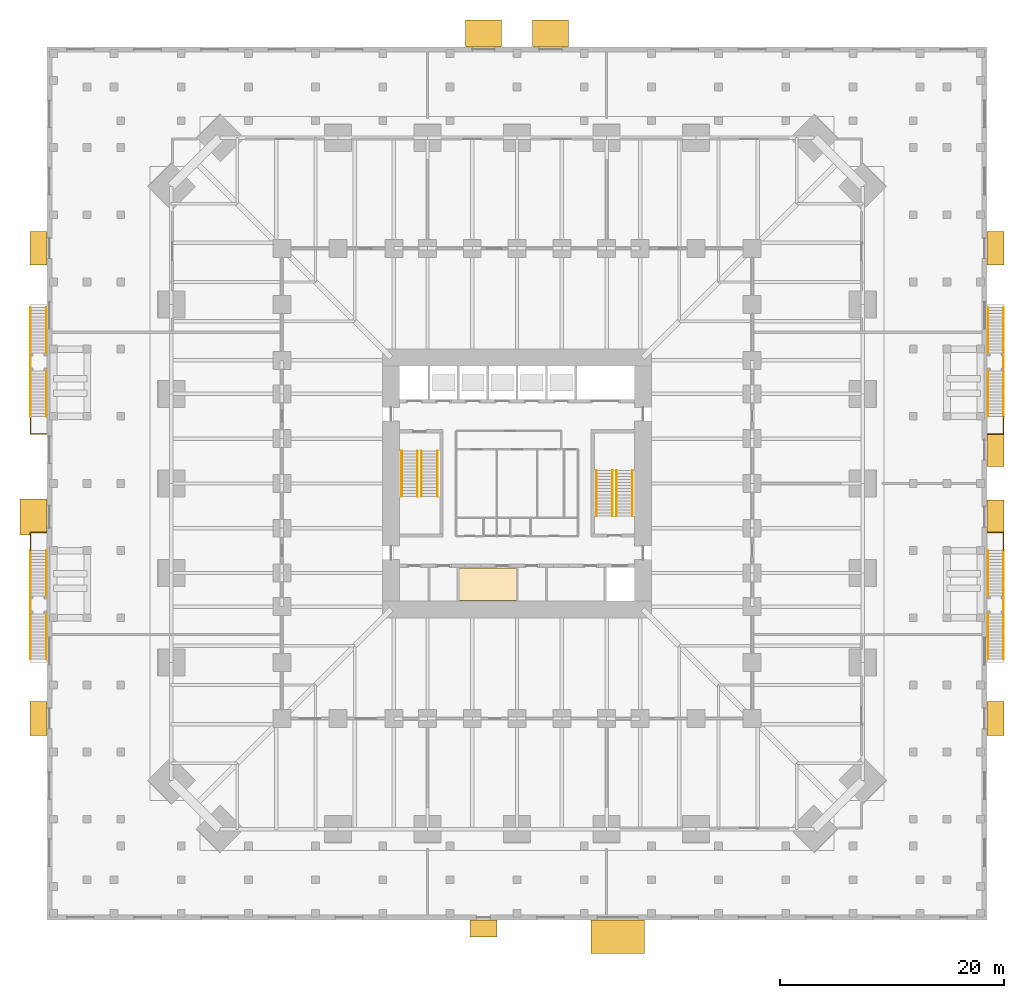
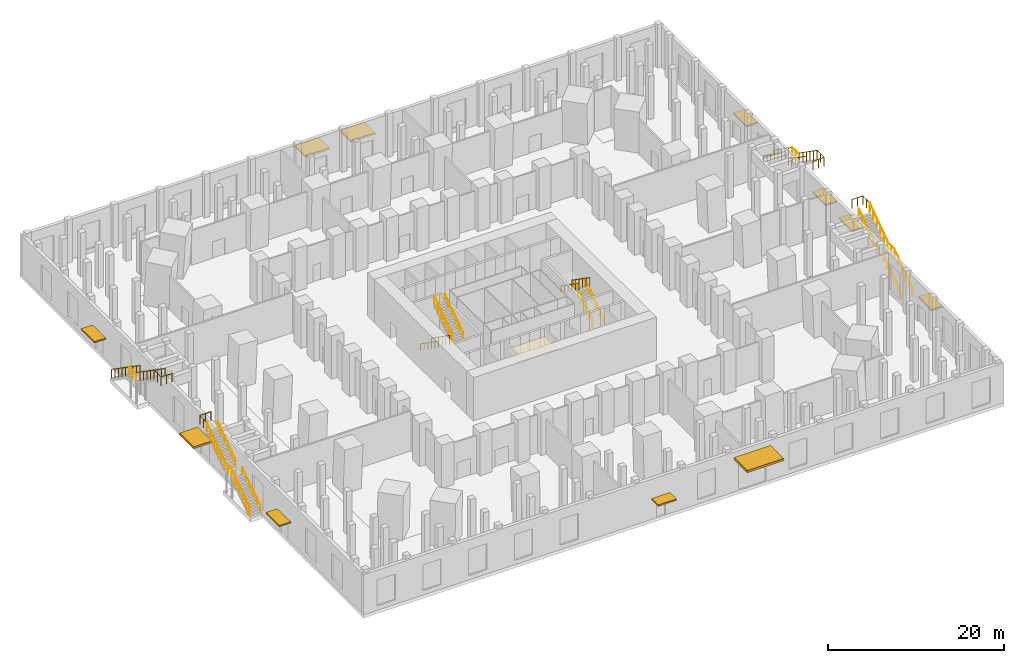
# One storey, part 19 of 20: 32 railings, 11 shading devices, 1 covering.
"""IFC4 building model written with IfcOpenShell, lengths in metres."""

from ifc_helpers import new_model, si_unit, direction, frame, origin, origin_2d, place, context, subcontext, project, spatial, polyline, rectangle, circle, outline, extrude, material, layer, layer_set, type_object, element, save


model = new_model("IFC4")

# Units and contexts
model_context = context("Model", 3, precision=1e-05, world=origin(), true_north=direction((0.0, 1.0)))
body_context = subcontext(model_context, "Body", "Model", "MODEL_VIEW")
ifc_project = project(units=[si_unit("LENGTHUNIT", "METRE"), si_unit("AREAUNIT", "SQUARE_METRE"), si_unit("VOLUMEUNIT", "CUBIC_METRE"), si_unit("PLANEANGLEUNIT", "RADIAN"), si_unit("MASSUNIT", "GRAM", prefix="KILO")], contexts=[model_context])

# Site, building, storey
site_placement = place(None, origin())
site = spatial("IfcSite", under=ifc_project, at=site_placement, CompositionType="ELEMENT")
building_placement = place(site_placement, origin())
building = spatial("IfcBuilding", under=site, at=building_placement, Name="Peilmerk Tower", CompositionType="ELEMENT")
storey_placement = place(building_placement, origin())
storey = spatial("IfcBuildingStorey", under=building, at=storey_placement, Name="L00", CompositionType="ELEMENT", Elevation=0.0)

# Covering
ifc_material_1 = material(Name="Mineral fibre ceiling tiles", Category="mineral")
ifc_layer_1 = layer(ifc_material_1, 0.02490234375)
ifc_layer_set_1 = layer_set([ifc_layer_1], Name="Mineral fibre ceiling tiles")
covering_type = type_object("IfcCoveringType", Name="CL1 25 suspended ceiling", PredefinedType="CEILING", material=ifc_layer_set_1)
covering_placement = place(storey_placement, frame((0.0, 0.0, 4.824951171875)))
element("IfcCovering", 1, at=covering_placement, inside=storey, type_object=covering_type, Name="Suspended ceiling Back-of-house office", PredefinedType="CEILING", context=body_context, shape_type="SweptSolid", body=[
    extrude(outline(polyline([(-5.198974609375, -10.448974609375), (-0.051025390625, -10.448974609375), (-0.051025390625, -7.551025390625), (-5.198974609375, -7.551025390625), (-5.198974609375, -10.448974609375)])), origin(), (0.0, 0.0, 1.0), 0.025146484375),
])

# Shading devices
ifc_material_2 = material(Name="Galvanised steel cantilever frame, laminated glass deck", Category="steel")
ifc_layer_2 = layer(ifc_material_2, 0.25)
ifc_layer_set_2 = layer_set([ifc_layer_2], Name="Galvanised steel cantilever frame, laminated glass deck")
shading_device_type_1 = type_object("IfcShadingDeviceType", Name="CN1 3200x2400 entrance canopy", PredefinedType="AWNING", material=ifc_layer_set_2)
for number, where, z_axis, x_axis, name in (
    (2, (-3.0, 40.199951171875, 3.0), (0.0, 0.0, 1.0), (1.0, 0.0, 0.0), "Entrance canopy CN1 L00"),
    (3, (3.0, 40.199951171875, 3.0), (0.0, 0.0, 1.0), (1.0, 0.0, 0.0), "Entrance canopy CN1 L00"),
    (4, (-43.199951171875, -3.0, 3.0), (0.0, 0.0, 1.0), (0.0, 1.0, 0.0), "Entrance canopy CN1 L00"),
):
    element("IfcShadingDevice", number, at=place(storey_placement, frame(where, z_axis=z_axis, x_axis=x_axis)), inside=storey, type_object=shading_device_type_1, Name=name, PredefinedType="AWNING", context=body_context, shape_type="SweptSolid", body=[
        extrude(rectangle(XDim=3.199951171875, YDim=2.39990234375, at=origin_2d()), origin(), (0.0, 0.0, 1.0), 0.25),
    ])
ifc_layer_3 = layer(ifc_material_2, 0.199951171875)
ifc_layer_set_3 = layer_set([ifc_layer_3], Name="Galvanised steel cantilever frame, laminated glass deck")
shading_device_type_2 = type_object("IfcShadingDeviceType", Name="CN2 2400x1500 exit door canopy", PredefinedType="AWNING", material=ifc_layer_set_3)
shading_device_1_placement = place(storey_placement, frame((-3.0, -39.75, 2.7001953125), z_axis=(0.0, 0.0, 1.0), x_axis=(-1.0, 0.0, 0.0)))
element("IfcShadingDevice", 5, at=shading_device_1_placement, inside=storey, type_object=shading_device_type_2, Name="Exit door canopy CN2 L00", PredefinedType="AWNING", context=body_context, shape_type="SweptSolid", body=[
    extrude(rectangle(XDim=2.39990234375, YDim=1.5, at=origin_2d()), origin(), (0.0, 0.0, 1.0), 0.199951171875),
])
ifc_layer_4 = layer(ifc_material_2, 0.300048828125)
ifc_layer_set_4 = layer_set([ifc_layer_4], Name="Galvanised steel cantilever frame, laminated glass deck")
shading_device_type_3 = type_object("IfcShadingDeviceType", Name="CN3 4800x3000 loading dock canopy", PredefinedType="AWNING", material=ifc_layer_set_4)
shading_device_2_placement = place(storey_placement, frame((9.0, -40.5, 4.5), z_axis=(0.0, 0.0, 1.0), x_axis=(-1.0, 0.0, 0.0)))
element("IfcShadingDevice", 6, at=shading_device_2_placement, inside=storey, type_object=shading_device_type_3, Name="Loading dock canopy CN3 L00", PredefinedType="AWNING", context=body_context, shape_type="SweptSolid", body=[
    extrude(rectangle(XDim=4.800048828125, YDim=3.0, at=origin_2d()), origin(), (0.0, 0.0, 1.0), 0.300048828125),
])
ifc_layer_5 = layer(ifc_material_2, 0.199951171875)
ifc_layer_set_5 = layer_set([ifc_layer_5], Name="Galvanised steel cantilever frame, laminated glass deck")
shading_device_type_4 = type_object("IfcShadingDeviceType", Name="CN4 3000x1500 exit door pair canopy", PredefinedType="AWNING", material=ifc_layer_set_5)
for number, where, z_axis, x_axis, name in (
    (7, (42.75, 21.0, 2.7001953125), (0.0, 0.0, 1.0), (0.0, -1.0, 0.0), "Exit door pair canopy CN4 L00"),
    (8, (42.75, 3.0, 2.7001953125), (0.0, 0.0, 1.0), (0.0, -1.0, 0.0), "Exit door pair canopy CN4 L00"),
    (9, (42.75, -3.0, 2.7001953125), (0.0, 0.0, 1.0), (0.0, -1.0, 0.0), "Exit door pair canopy CN4 L00"),
    (10, (42.75, -21.0, 2.7001953125), (0.0, 0.0, 1.0), (0.0, -1.0, 0.0), "Exit door pair canopy CN4 L00"),
    (11, (-42.75, -21.0, 2.7001953125), (0.0, 0.0, 1.0), (0.0, 1.0, 0.0), "Exit door pair canopy CN4 L00"),
    (12, (-42.75, 21.0, 2.7001953125), (0.0, 0.0, 1.0), (0.0, 1.0, 0.0), "Exit door pair canopy CN4 L00"),
):
    element("IfcShadingDevice", number, at=place(storey_placement, frame(where, z_axis=z_axis, x_axis=x_axis)), inside=storey, type_object=shading_device_type_4, Name=name, PredefinedType="AWNING", context=body_context, shape_type="SweptSolid", body=[
        extrude(rectangle(XDim=3.0, YDim=1.5, at=origin_2d()), origin(), (0.0, 0.0, 1.0), 0.199951171875),
    ])

# Railings
ifc_material_3 = material(Name="Steel flat bar balustrade", Category="steel")
railing_type_1 = type_object("IfcRailingType", Name="GR1 1200 stair guard", PredefinedType="GUARDRAIL", material=ifc_material_3)
railing_1_placement = place(storey_placement, frame((-8.8798828125, 2.89990234375, 0.1875)))
element("IfcRailing", 13, at=railing_1_placement, inside=storey, type_object=railing_type_1, Name="Guard stair 1 L00", PredefinedType="GUARDRAIL", context=body_context, shape_type="SweptSolid", body=[
    extrude(circle(Radius=0.02392578125, at=origin_2d()), frame((0.0, 0.0, 1.17578125), z_axis=(0.0, -0.821357077609, 0.57041436786), x_axis=(1.0, 0.0, 0.0)), (0.0, 0.0, 1.0), 4.9306640625),
    extrude(circle(Radius=0.02099609375, at=origin_2d()), origin(), (0.0, 0.0, 1.0), 1.15185546875),
    extrude(circle(Radius=0.02099609375, at=origin_2d()), frame((0.0, -0.81005859375, 0.5625)), (0.0, 0.0, 1.0), 1.15185546875),
    extrude(circle(Radius=0.02099609375, at=origin_2d()), frame((0.0, -1.619873046875, 1.125)), (0.0, 0.0, 1.0), 1.15185546875),
    extrude(circle(Radius=0.02099609375, at=origin_2d()), frame((0.0, -2.429931640625, 1.6875)), (0.0, 0.0, 1.0), 1.15185546875),
    extrude(circle(Radius=0.02099609375, at=origin_2d()), frame((0.0, -3.23974609375, 2.25)), (0.0, 0.0, 1.0), 1.15185546875),
    extrude(circle(Radius=0.02099609375, at=origin_2d()), frame((0.0, -4.0498046875, 2.8125)), (0.0, 0.0, 1.0), 1.15185546875),
])
for number, where, name in (
    (14, (-8.52001953125, -1.14990234375, 3.1875), "Guard stair 1 L00"),
    (15, (8.8798828125, -2.89990234375, 0.1875), "Guard stair 2 L00"),
):
    element("IfcRailing", number, at=place(storey_placement, frame(where)), inside=storey, type_object=railing_type_1, Name=name, PredefinedType="GUARDRAIL", context=body_context, shape_type="SweptSolid", body=[
        extrude(circle(Radius=0.02392578125, at=origin_2d()), frame((0.0, 0.0, 1.17578125), z_axis=(0.0, 0.821357077609, 0.57041436786), x_axis=(-1.0, 0.0, 0.0)), (0.0, 0.0, 1.0), 4.9306640625),
        extrude(circle(Radius=0.02099609375, at=origin_2d()), origin(), (0.0, 0.0, 1.0), 1.15185546875),
        extrude(circle(Radius=0.02099609375, at=origin_2d()), frame((0.0, 0.81005859375, 0.5625)), (0.0, 0.0, 1.0), 1.15185546875),
        extrude(circle(Radius=0.02099609375, at=origin_2d()), frame((0.0, 1.619873046875, 1.125)), (0.0, 0.0, 1.0), 1.15185546875),
        extrude(circle(Radius=0.02099609375, at=origin_2d()), frame((0.0, 2.429931640625, 1.6875)), (0.0, 0.0, 1.0), 1.15185546875),
        extrude(circle(Radius=0.02099609375, at=origin_2d()), frame((0.0, 3.23974609375, 2.25)), (0.0, 0.0, 1.0), 1.15185546875),
        extrude(circle(Radius=0.02099609375, at=origin_2d()), frame((0.0, 4.0498046875, 2.8125)), (0.0, 0.0, 1.0), 1.15185546875),
    ])
railing_2_placement = place(storey_placement, frame((8.52001953125, 1.14990234375, 3.1875)))
element("IfcRailing", 16, at=railing_2_placement, inside=storey, type_object=railing_type_1, Name="Guard stair 2 L00", PredefinedType="GUARDRAIL", context=body_context, shape_type="SweptSolid", body=[
    extrude(circle(Radius=0.02392578125, at=origin_2d()), frame((0.0, 0.0, 1.17578125), z_axis=(0.0, -0.821357077609, 0.57041436786), x_axis=(1.0, 0.0, 0.0)), (0.0, 0.0, 1.0), 4.9306640625),
    extrude(circle(Radius=0.02099609375, at=origin_2d()), origin(), (0.0, 0.0, 1.0), 1.15185546875),
    extrude(circle(Radius=0.02099609375, at=origin_2d()), frame((0.0, -0.81005859375, 0.5625)), (0.0, 0.0, 1.0), 1.15185546875),
    extrude(circle(Radius=0.02099609375, at=origin_2d()), frame((0.0, -1.619873046875, 1.125)), (0.0, 0.0, 1.0), 1.15185546875),
    extrude(circle(Radius=0.02099609375, at=origin_2d()), frame((0.0, -2.429931640625, 1.6875)), (0.0, 0.0, 1.0), 1.15185546875),
    extrude(circle(Radius=0.02099609375, at=origin_2d()), frame((0.0, -3.23974609375, 2.25)), (0.0, 0.0, 1.0), 1.15185546875),
    extrude(circle(Radius=0.02099609375, at=origin_2d()), frame((0.0, -4.0498046875, 2.8125)), (0.0, 0.0, 1.0), 1.15185546875),
])
for number, where, name in (
    (17, (43.469970703125, 15.699951171875, 0.1875), "Guard external stair 3 L00"),
    (18, (43.469970703125, 10.050048828125, 3.1875), "Guard external stair 3 L00"),
):
    element("IfcRailing", number, at=place(storey_placement, frame(where)), inside=storey, type_object=railing_type_1, Name=name, PredefinedType="GUARDRAIL", context=body_context, shape_type="SweptSolid", body=[
        extrude(circle(Radius=0.02392578125, at=origin_2d()), frame((0.0, 0.0, 1.17578125), z_axis=(0.0, -0.821373187493, 0.570391170047), x_axis=(1.0, 0.0, 0.0)), (0.0, 0.0, 1.0), 4.930908203125),
        extrude(circle(Radius=0.02099609375, at=origin_2d()), origin(), (0.0, 0.0, 1.0), 1.15185546875),
        extrude(circle(Radius=0.02099609375, at=origin_2d()), frame((0.0, -0.81005859375, 0.5625)), (0.0, 0.0, 1.0), 1.15185546875),
        extrude(circle(Radius=0.02099609375, at=origin_2d()), frame((0.0, -1.6201171875, 1.125)), (0.0, 0.0, 1.0), 1.15185546875),
        extrude(circle(Radius=0.02099609375, at=origin_2d()), frame((0.0, -2.429931640625, 1.6875)), (0.0, 0.0, 1.0), 1.15185546875),
        extrude(circle(Radius=0.02099609375, at=origin_2d()), frame((0.0, -3.239990234375, 2.25)), (0.0, 0.0, 1.0), 1.15185546875),
        extrude(circle(Radius=0.02099609375, at=origin_2d()), frame((0.0, -4.050048828125, 2.8125)), (0.0, 0.0, 1.0), 1.15185546875),
    ])
railing_3_placement = place(storey_placement, frame((43.469970703125, 10.050048828125, 3.0)))
element("IfcRailing", 19, at=railing_3_placement, inside=storey, type_object=railing_type_1, Name="Guard external stair 3 L00", PredefinedType="GUARDRAIL", context=body_context, shape_type="SweptSolid", body=[
    extrude(circle(Radius=0.02392578125, at=origin_2d()), frame((0.0, 0.0, 1.17578125), z_axis=(0.0, 1.0, 0.0), x_axis=(-1.0, 0.0, 0.0)), (0.0, 0.0, 1.0), 1.599853515625),
    extrude(circle(Radius=0.02099609375, at=origin_2d()), origin(), (0.0, 0.0, 1.0), 1.15185546875),
    extrude(circle(Radius=0.02099609375, at=origin_2d()), frame((0.0, 0.7998046875, 0.0)), (0.0, 0.0, 1.0), 1.15185546875),
    extrude(circle(Radius=0.02099609375, at=origin_2d()), frame((0.0, 1.599853515625, 0.0)), (0.0, 0.0, 1.0), 1.15185546875),
])
railing_4_placement = place(storey_placement, frame((43.469970703125, 6.0, 6.0)))
element("IfcRailing", 20, at=railing_4_placement, inside=storey, type_object=railing_type_1, Name="Guard external stair 3 L00", PredefinedType="GUARDRAIL", context=body_context, shape_type="SweptSolid", body=[
    extrude(circle(Radius=0.02392578125, at=origin_2d()), frame((0.0, 0.0, 1.17578125), z_axis=(0.0, -1.0, 0.0), x_axis=(1.0, 0.0, 0.0)), (0.0, 0.0, 1.0), 1.60009765625),
    extrude(circle(Radius=0.02392578125, at=origin_2d()), frame((0.0, -1.60009765625, 1.17578125), z_axis=(-1.0, 0.0, 0.0), x_axis=(0.0, -1.0, 0.0)), (0.0, 0.0, 1.0), 1.43994140625),
    extrude(circle(Radius=0.02099609375, at=origin_2d()), origin(), (0.0, 0.0, 1.0), 1.15185546875),
    extrude(circle(Radius=0.02099609375, at=origin_2d()), frame((0.0, -0.800048828125, 0.0)), (0.0, 0.0, 1.0), 1.15185546875),
    extrude(circle(Radius=0.02099609375, at=origin_2d()), frame((0.0, -1.60009765625, 0.0)), (0.0, 0.0, 1.0), 1.15185546875),
    extrude(circle(Radius=0.02099609375, at=origin_2d()), frame((-0.719970703125, -1.60009765625, 0.0)), (0.0, 0.0, 1.0), 1.15185546875),
    extrude(circle(Radius=0.02099609375, at=origin_2d()), frame((-1.43994140625, -1.60009765625, 0.0)), (0.0, 0.0, 1.0), 1.15185546875),
])
for number, where, name in (
    (21, (43.469970703125, -15.699951171875, 0.1875), "Guard external stair 4 L00"),
    (22, (43.469970703125, -10.050048828125, 3.1875), "Guard external stair 4 L00"),
):
    element("IfcRailing", number, at=place(storey_placement, frame(where)), inside=storey, type_object=railing_type_1, Name=name, PredefinedType="GUARDRAIL", context=body_context, shape_type="SweptSolid", body=[
        extrude(circle(Radius=0.02392578125, at=origin_2d()), frame((0.0, 0.0, 1.17578125), z_axis=(0.0, 0.821373187493, 0.570391170047), x_axis=(-1.0, 0.0, 0.0)), (0.0, 0.0, 1.0), 4.930908203125),
        extrude(circle(Radius=0.02099609375, at=origin_2d()), origin(), (0.0, 0.0, 1.0), 1.15185546875),
        extrude(circle(Radius=0.02099609375, at=origin_2d()), frame((0.0, 0.81005859375, 0.5625)), (0.0, 0.0, 1.0), 1.15185546875),
        extrude(circle(Radius=0.02099609375, at=origin_2d()), frame((0.0, 1.6201171875, 1.125)), (0.0, 0.0, 1.0), 1.15185546875),
        extrude(circle(Radius=0.02099609375, at=origin_2d()), frame((0.0, 2.429931640625, 1.6875)), (0.0, 0.0, 1.0), 1.15185546875),
        extrude(circle(Radius=0.02099609375, at=origin_2d()), frame((0.0, 3.239990234375, 2.25)), (0.0, 0.0, 1.0), 1.15185546875),
        extrude(circle(Radius=0.02099609375, at=origin_2d()), frame((0.0, 4.050048828125, 2.8125)), (0.0, 0.0, 1.0), 1.15185546875),
    ])
railing_5_placement = place(storey_placement, frame((43.469970703125, -11.64990234375, 3.0)))
element("IfcRailing", 23, at=railing_5_placement, inside=storey, type_object=railing_type_1, Name="Guard external stair 4 L00", PredefinedType="GUARDRAIL", context=body_context, shape_type="SweptSolid", body=[
    extrude(circle(Radius=0.02392578125, at=origin_2d()), frame((0.0, 0.0, 1.17578125), z_axis=(0.0, 1.0, 0.0), x_axis=(-1.0, 0.0, 0.0)), (0.0, 0.0, 1.0), 1.599853515625),
    extrude(circle(Radius=0.02099609375, at=origin_2d()), origin(), (0.0, 0.0, 1.0), 1.15185546875),
    extrude(circle(Radius=0.02099609375, at=origin_2d()), frame((0.0, 0.7998046875, 0.0)), (0.0, 0.0, 1.0), 1.15185546875),
    extrude(circle(Radius=0.02099609375, at=origin_2d()), frame((0.0, 1.599853515625, 0.0)), (0.0, 0.0, 1.0), 1.15185546875),
])
railing_6_placement = place(storey_placement, frame((43.469970703125, -6.0, 6.0)))
element("IfcRailing", 24, at=railing_6_placement, inside=storey, type_object=railing_type_1, Name="Guard external stair 4 L00", PredefinedType="GUARDRAIL", context=body_context, shape_type="SweptSolid", body=[
    extrude(circle(Radius=0.02392578125, at=origin_2d()), frame((0.0, 0.0, 1.17578125), z_axis=(0.0, 1.0, 0.0), x_axis=(-1.0, 0.0, 0.0)), (0.0, 0.0, 1.0), 1.60009765625),
    extrude(circle(Radius=0.02392578125, at=origin_2d()), frame((0.0, 1.60009765625, 1.17578125), z_axis=(-1.0, 0.0, 0.0), x_axis=(0.0, -1.0, 0.0)), (0.0, 0.0, 1.0), 1.43994140625),
    extrude(circle(Radius=0.02099609375, at=origin_2d()), origin(), (0.0, 0.0, 1.0), 1.15185546875),
    extrude(circle(Radius=0.02099609375, at=origin_2d()), frame((0.0, 0.800048828125, 0.0)), (0.0, 0.0, 1.0), 1.15185546875),
    extrude(circle(Radius=0.02099609375, at=origin_2d()), frame((0.0, 1.60009765625, 0.0)), (0.0, 0.0, 1.0), 1.15185546875),
    extrude(circle(Radius=0.02099609375, at=origin_2d()), frame((-0.719970703125, 1.60009765625, 0.0)), (0.0, 0.0, 1.0), 1.15185546875),
    extrude(circle(Radius=0.02099609375, at=origin_2d()), frame((-1.43994140625, 1.60009765625, 0.0)), (0.0, 0.0, 1.0), 1.15185546875),
])
for number, where, name in (
    (25, (-43.469970703125, 15.699951171875, 0.1875), "Guard external stair 5 L00"),
    (26, (-43.469970703125, 10.050048828125, 3.1875), "Guard external stair 5 L00"),
):
    element("IfcRailing", number, at=place(storey_placement, frame(where)), inside=storey, type_object=railing_type_1, Name=name, PredefinedType="GUARDRAIL", context=body_context, shape_type="SweptSolid", body=[
        extrude(circle(Radius=0.02392578125, at=origin_2d()), frame((0.0, 0.0, 1.17578125), z_axis=(0.0, -0.821373187493, 0.570391170047), x_axis=(1.0, 0.0, 0.0)), (0.0, 0.0, 1.0), 4.930908203125),
        extrude(circle(Radius=0.02099609375, at=origin_2d()), origin(), (0.0, 0.0, 1.0), 1.15185546875),
        extrude(circle(Radius=0.02099609375, at=origin_2d()), frame((0.0, -0.81005859375, 0.5625)), (0.0, 0.0, 1.0), 1.15185546875),
        extrude(circle(Radius=0.02099609375, at=origin_2d()), frame((0.0, -1.6201171875, 1.125)), (0.0, 0.0, 1.0), 1.15185546875),
        extrude(circle(Radius=0.02099609375, at=origin_2d()), frame((0.0, -2.429931640625, 1.6875)), (0.0, 0.0, 1.0), 1.15185546875),
        extrude(circle(Radius=0.02099609375, at=origin_2d()), frame((0.0, -3.239990234375, 2.25)), (0.0, 0.0, 1.0), 1.15185546875),
        extrude(circle(Radius=0.02099609375, at=origin_2d()), frame((0.0, -4.050048828125, 2.8125)), (0.0, 0.0, 1.0), 1.15185546875),
    ])
railing_7_placement = place(storey_placement, frame((-43.469970703125, 10.050048828125, 3.0)))
element("IfcRailing", 27, at=railing_7_placement, inside=storey, type_object=railing_type_1, Name="Guard external stair 5 L00", PredefinedType="GUARDRAIL", context=body_context, shape_type="SweptSolid", body=[
    extrude(circle(Radius=0.02392578125, at=origin_2d()), frame((0.0, 0.0, 1.17578125), z_axis=(0.0, 1.0, 0.0), x_axis=(-1.0, 0.0, 0.0)), (0.0, 0.0, 1.0), 1.599853515625),
    extrude(circle(Radius=0.02099609375, at=origin_2d()), origin(), (0.0, 0.0, 1.0), 1.15185546875),
    extrude(circle(Radius=0.02099609375, at=origin_2d()), frame((0.0, 0.7998046875, 0.0)), (0.0, 0.0, 1.0), 1.15185546875),
    extrude(circle(Radius=0.02099609375, at=origin_2d()), frame((0.0, 1.599853515625, 0.0)), (0.0, 0.0, 1.0), 1.15185546875),
])
railing_8_placement = place(storey_placement, frame((-43.469970703125, 6.0, 6.0)))
element("IfcRailing", 28, at=railing_8_placement, inside=storey, type_object=railing_type_1, Name="Guard external stair 5 L00", PredefinedType="GUARDRAIL", context=body_context, shape_type="SweptSolid", body=[
    extrude(circle(Radius=0.02392578125, at=origin_2d()), frame((0.0, 0.0, 1.17578125), z_axis=(0.0, -1.0, 0.0), x_axis=(1.0, 0.0, 0.0)), (0.0, 0.0, 1.0), 1.60009765625),
    extrude(circle(Radius=0.02392578125, at=origin_2d()), frame((0.0, -1.60009765625, 1.17578125), z_axis=(1.0, 0.0, 0.0), x_axis=(0.0, 1.0, 0.0)), (0.0, 0.0, 1.0), 1.43994140625),
    extrude(circle(Radius=0.02099609375, at=origin_2d()), origin(), (0.0, 0.0, 1.0), 1.15185546875),
    extrude(circle(Radius=0.02099609375, at=origin_2d()), frame((0.0, -0.800048828125, 0.0)), (0.0, 0.0, 1.0), 1.15185546875),
    extrude(circle(Radius=0.02099609375, at=origin_2d()), frame((0.0, -1.60009765625, 0.0)), (0.0, 0.0, 1.0), 1.15185546875),
    extrude(circle(Radius=0.02099609375, at=origin_2d()), frame((0.719970703125, -1.60009765625, 0.0)), (0.0, 0.0, 1.0), 1.15185546875),
    extrude(circle(Radius=0.02099609375, at=origin_2d()), frame((1.43994140625, -1.60009765625, 0.0)), (0.0, 0.0, 1.0), 1.15185546875),
])
for number, where, name in (
    (29, (-43.469970703125, -15.699951171875, 0.1875), "Guard external stair 6 L00"),
    (30, (-43.469970703125, -10.050048828125, 3.1875), "Guard external stair 6 L00"),
):
    element("IfcRailing", number, at=place(storey_placement, frame(where)), inside=storey, type_object=railing_type_1, Name=name, PredefinedType="GUARDRAIL", context=body_context, shape_type="SweptSolid", body=[
        extrude(circle(Radius=0.02392578125, at=origin_2d()), frame((0.0, 0.0, 1.17578125), z_axis=(0.0, 0.821373187493, 0.570391170047), x_axis=(-1.0, 0.0, 0.0)), (0.0, 0.0, 1.0), 4.930908203125),
        extrude(circle(Radius=0.02099609375, at=origin_2d()), origin(), (0.0, 0.0, 1.0), 1.15185546875),
        extrude(circle(Radius=0.02099609375, at=origin_2d()), frame((0.0, 0.81005859375, 0.5625)), (0.0, 0.0, 1.0), 1.15185546875),
        extrude(circle(Radius=0.02099609375, at=origin_2d()), frame((0.0, 1.6201171875, 1.125)), (0.0, 0.0, 1.0), 1.15185546875),
        extrude(circle(Radius=0.02099609375, at=origin_2d()), frame((0.0, 2.429931640625, 1.6875)), (0.0, 0.0, 1.0), 1.15185546875),
        extrude(circle(Radius=0.02099609375, at=origin_2d()), frame((0.0, 3.239990234375, 2.25)), (0.0, 0.0, 1.0), 1.15185546875),
        extrude(circle(Radius=0.02099609375, at=origin_2d()), frame((0.0, 4.050048828125, 2.8125)), (0.0, 0.0, 1.0), 1.15185546875),
    ])
railing_9_placement = place(storey_placement, frame((-43.469970703125, -11.64990234375, 3.0)))
element("IfcRailing", 31, at=railing_9_placement, inside=storey, type_object=railing_type_1, Name="Guard external stair 6 L00", PredefinedType="GUARDRAIL", context=body_context, shape_type="SweptSolid", body=[
    extrude(circle(Radius=0.02392578125, at=origin_2d()), frame((0.0, 0.0, 1.17578125), z_axis=(0.0, 1.0, 0.0), x_axis=(-1.0, 0.0, 0.0)), (0.0, 0.0, 1.0), 1.599853515625),
    extrude(circle(Radius=0.02099609375, at=origin_2d()), origin(), (0.0, 0.0, 1.0), 1.15185546875),
    extrude(circle(Radius=0.02099609375, at=origin_2d()), frame((0.0, 0.7998046875, 0.0)), (0.0, 0.0, 1.0), 1.15185546875),
    extrude(circle(Radius=0.02099609375, at=origin_2d()), frame((0.0, 1.599853515625, 0.0)), (0.0, 0.0, 1.0), 1.15185546875),
])
railing_10_placement = place(storey_placement, frame((-43.469970703125, -6.0, 6.0)))
element("IfcRailing", 32, at=railing_10_placement, inside=storey, type_object=railing_type_1, Name="Guard external stair 6 L00", PredefinedType="GUARDRAIL", context=body_context, shape_type="SweptSolid", body=[
    extrude(circle(Radius=0.02392578125, at=origin_2d()), frame((0.0, 0.0, 1.17578125), z_axis=(0.0, 1.0, 0.0), x_axis=(-1.0, 0.0, 0.0)), (0.0, 0.0, 1.0), 1.60009765625),
    extrude(circle(Radius=0.02392578125, at=origin_2d()), frame((0.0, 1.60009765625, 1.17578125), z_axis=(1.0, 0.0, 0.0), x_axis=(0.0, 1.0, 0.0)), (0.0, 0.0, 1.0), 1.43994140625),
    extrude(circle(Radius=0.02099609375, at=origin_2d()), origin(), (0.0, 0.0, 1.0), 1.15185546875),
    extrude(circle(Radius=0.02099609375, at=origin_2d()), frame((0.0, 0.800048828125, 0.0)), (0.0, 0.0, 1.0), 1.15185546875),
    extrude(circle(Radius=0.02099609375, at=origin_2d()), frame((0.0, 1.60009765625, 0.0)), (0.0, 0.0, 1.0), 1.15185546875),
    extrude(circle(Radius=0.02099609375, at=origin_2d()), frame((0.719970703125, 1.60009765625, 0.0)), (0.0, 0.0, 1.0), 1.15185546875),
    extrude(circle(Radius=0.02099609375, at=origin_2d()), frame((1.43994140625, 1.60009765625, 0.0)), (0.0, 0.0, 1.0), 1.15185546875),
])
ifc_material_4 = material(Name="Stainless steel tube", Category="steel")
railing_type_2 = type_object("IfcRailingType", Name="HR1 900 stair handrail", PredefinedType="HANDRAIL", material=ifc_material_4)
railing_11_placement = place(storey_placement, frame((-10.300048828125, 2.89990234375, 0.1875)))
element("IfcRailing", 33, at=railing_11_placement, inside=storey, type_object=railing_type_2, Name="Handrail stair 1 L00", PredefinedType="HANDRAIL", context=body_context, shape_type="SweptSolid", body=[
    extrude(circle(Radius=0.02392578125, at=origin_2d()), frame((0.0, 0.0, 0.8759765625), z_axis=(0.0, -0.821357077609, 0.57041436786), x_axis=(1.0, 0.0, 0.0)), (0.0, 0.0, 1.0), 4.9306640625),
    extrude(circle(Radius=0.02099609375, at=origin_2d()), origin(), (0.0, 0.0, 1.0), 0.851806640625),
    extrude(circle(Radius=0.02099609375, at=origin_2d()), frame((0.0, -0.81005859375, 0.5625)), (0.0, 0.0, 1.0), 0.851806640625),
    extrude(circle(Radius=0.02099609375, at=origin_2d()), frame((0.0, -1.619873046875, 1.125)), (0.0, 0.0, 1.0), 0.851806640625),
    extrude(circle(Radius=0.02099609375, at=origin_2d()), frame((0.0, -2.429931640625, 1.6875)), (0.0, 0.0, 1.0), 0.851806640625),
    extrude(circle(Radius=0.02099609375, at=origin_2d()), frame((0.0, -3.23974609375, 2.25)), (0.0, 0.0, 1.0), 0.851806640625),
    extrude(circle(Radius=0.02099609375, at=origin_2d()), frame((0.0, -4.0498046875, 2.8125)), (0.0, 0.0, 1.0), 0.851806640625),
])
for number, where, name in (
    (34, (-7.10009765625, -1.14990234375, 3.1875), "Handrail stair 1 L00"),
    (35, (10.300048828125, -2.89990234375, 0.1875), "Handrail stair 2 L00"),
):
    element("IfcRailing", number, at=place(storey_placement, frame(where)), inside=storey, type_object=railing_type_2, Name=name, PredefinedType="HANDRAIL", context=body_context, shape_type="SweptSolid", body=[
        extrude(circle(Radius=0.02392578125, at=origin_2d()), frame((0.0, 0.0, 0.8759765625), z_axis=(0.0, 0.821357077609, 0.57041436786), x_axis=(-1.0, 0.0, 0.0)), (0.0, 0.0, 1.0), 4.9306640625),
        extrude(circle(Radius=0.02099609375, at=origin_2d()), origin(), (0.0, 0.0, 1.0), 0.851806640625),
        extrude(circle(Radius=0.02099609375, at=origin_2d()), frame((0.0, 0.81005859375, 0.5625)), (0.0, 0.0, 1.0), 0.851806640625),
        extrude(circle(Radius=0.02099609375, at=origin_2d()), frame((0.0, 1.619873046875, 1.125)), (0.0, 0.0, 1.0), 0.851806640625),
        extrude(circle(Radius=0.02099609375, at=origin_2d()), frame((0.0, 2.429931640625, 1.6875)), (0.0, 0.0, 1.0), 0.851806640625),
        extrude(circle(Radius=0.02099609375, at=origin_2d()), frame((0.0, 3.23974609375, 2.25)), (0.0, 0.0, 1.0), 0.851806640625),
        extrude(circle(Radius=0.02099609375, at=origin_2d()), frame((0.0, 4.0498046875, 2.8125)), (0.0, 0.0, 1.0), 0.851806640625),
    ])
railing_12_placement = place(storey_placement, frame((7.10009765625, 1.14990234375, 3.1875)))
element("IfcRailing", 36, at=railing_12_placement, inside=storey, type_object=railing_type_2, Name="Handrail stair 2 L00", PredefinedType="HANDRAIL", context=body_context, shape_type="SweptSolid", body=[
    extrude(circle(Radius=0.02392578125, at=origin_2d()), frame((0.0, 0.0, 0.8759765625), z_axis=(0.0, -0.821357077609, 0.57041436786), x_axis=(1.0, 0.0, 0.0)), (0.0, 0.0, 1.0), 4.9306640625),
    extrude(circle(Radius=0.02099609375, at=origin_2d()), origin(), (0.0, 0.0, 1.0), 0.851806640625),
    extrude(circle(Radius=0.02099609375, at=origin_2d()), frame((0.0, -0.81005859375, 0.5625)), (0.0, 0.0, 1.0), 0.851806640625),
    extrude(circle(Radius=0.02099609375, at=origin_2d()), frame((0.0, -1.619873046875, 1.125)), (0.0, 0.0, 1.0), 0.851806640625),
    extrude(circle(Radius=0.02099609375, at=origin_2d()), frame((0.0, -2.429931640625, 1.6875)), (0.0, 0.0, 1.0), 0.851806640625),
    extrude(circle(Radius=0.02099609375, at=origin_2d()), frame((0.0, -3.23974609375, 2.25)), (0.0, 0.0, 1.0), 0.851806640625),
    extrude(circle(Radius=0.02099609375, at=origin_2d()), frame((0.0, -4.0498046875, 2.8125)), (0.0, 0.0, 1.0), 0.851806640625),
])
for number, where, name in (
    (37, (42.050048828125, 15.699951171875, 0.1875), "Handrail external stair 3 L00"),
    (38, (42.050048828125, 10.050048828125, 3.1875), "Handrail external stair 3 L00"),
):
    element("IfcRailing", number, at=place(storey_placement, frame(where)), inside=storey, type_object=railing_type_2, Name=name, PredefinedType="HANDRAIL", context=body_context, shape_type="SweptSolid", body=[
        extrude(circle(Radius=0.02392578125, at=origin_2d()), frame((0.0, 0.0, 0.8759765625), z_axis=(0.0, -0.821373187493, 0.570391170047), x_axis=(1.0, 0.0, 0.0)), (0.0, 0.0, 1.0), 4.930908203125),
        extrude(circle(Radius=0.02099609375, at=origin_2d()), origin(), (0.0, 0.0, 1.0), 0.851806640625),
        extrude(circle(Radius=0.02099609375, at=origin_2d()), frame((0.0, -0.81005859375, 0.5625)), (0.0, 0.0, 1.0), 0.851806640625),
        extrude(circle(Radius=0.02099609375, at=origin_2d()), frame((0.0, -1.6201171875, 1.125)), (0.0, 0.0, 1.0), 0.851806640625),
        extrude(circle(Radius=0.02099609375, at=origin_2d()), frame((0.0, -2.429931640625, 1.6875)), (0.0, 0.0, 1.0), 0.851806640625),
        extrude(circle(Radius=0.02099609375, at=origin_2d()), frame((0.0, -3.239990234375, 2.25)), (0.0, 0.0, 1.0), 0.851806640625),
        extrude(circle(Radius=0.02099609375, at=origin_2d()), frame((0.0, -4.050048828125, 2.8125)), (0.0, 0.0, 1.0), 0.851806640625),
    ])
for number, where, name in (
    (39, (42.050048828125, -15.699951171875, 0.1875), "Handrail external stair 4 L00"),
    (40, (42.050048828125, -10.050048828125, 3.1875), "Handrail external stair 4 L00"),
):
    element("IfcRailing", number, at=place(storey_placement, frame(where)), inside=storey, type_object=railing_type_2, Name=name, PredefinedType="HANDRAIL", context=body_context, shape_type="SweptSolid", body=[
        extrude(circle(Radius=0.02392578125, at=origin_2d()), frame((0.0, 0.0, 0.8759765625), z_axis=(0.0, 0.821373187493, 0.570391170047), x_axis=(-1.0, 0.0, 0.0)), (0.0, 0.0, 1.0), 4.930908203125),
        extrude(circle(Radius=0.02099609375, at=origin_2d()), origin(), (0.0, 0.0, 1.0), 0.851806640625),
        extrude(circle(Radius=0.02099609375, at=origin_2d()), frame((0.0, 0.81005859375, 0.5625)), (0.0, 0.0, 1.0), 0.851806640625),
        extrude(circle(Radius=0.02099609375, at=origin_2d()), frame((0.0, 1.6201171875, 1.125)), (0.0, 0.0, 1.0), 0.851806640625),
        extrude(circle(Radius=0.02099609375, at=origin_2d()), frame((0.0, 2.429931640625, 1.6875)), (0.0, 0.0, 1.0), 0.851806640625),
        extrude(circle(Radius=0.02099609375, at=origin_2d()), frame((0.0, 3.239990234375, 2.25)), (0.0, 0.0, 1.0), 0.851806640625),
        extrude(circle(Radius=0.02099609375, at=origin_2d()), frame((0.0, 4.050048828125, 2.8125)), (0.0, 0.0, 1.0), 0.851806640625),
    ])
for number, where, name in (
    (41, (-42.050048828125, 15.699951171875, 0.1875), "Handrail external stair 5 L00"),
    (42, (-42.050048828125, 10.050048828125, 3.1875), "Handrail external stair 5 L00"),
):
    element("IfcRailing", number, at=place(storey_placement, frame(where)), inside=storey, type_object=railing_type_2, Name=name, PredefinedType="HANDRAIL", context=body_context, shape_type="SweptSolid", body=[
        extrude(circle(Radius=0.02392578125, at=origin_2d()), frame((0.0, 0.0, 0.8759765625), z_axis=(0.0, -0.821373187493, 0.570391170047), x_axis=(1.0, 0.0, 0.0)), (0.0, 0.0, 1.0), 4.930908203125),
        extrude(circle(Radius=0.02099609375, at=origin_2d()), origin(), (0.0, 0.0, 1.0), 0.851806640625),
        extrude(circle(Radius=0.02099609375, at=origin_2d()), frame((0.0, -0.81005859375, 0.5625)), (0.0, 0.0, 1.0), 0.851806640625),
        extrude(circle(Radius=0.02099609375, at=origin_2d()), frame((0.0, -1.6201171875, 1.125)), (0.0, 0.0, 1.0), 0.851806640625),
        extrude(circle(Radius=0.02099609375, at=origin_2d()), frame((0.0, -2.429931640625, 1.6875)), (0.0, 0.0, 1.0), 0.851806640625),
        extrude(circle(Radius=0.02099609375, at=origin_2d()), frame((0.0, -3.239990234375, 2.25)), (0.0, 0.0, 1.0), 0.851806640625),
        extrude(circle(Radius=0.02099609375, at=origin_2d()), frame((0.0, -4.050048828125, 2.8125)), (0.0, 0.0, 1.0), 0.851806640625),
    ])
for number, where, name in (
    (43, (-42.050048828125, -15.699951171875, 0.1875), "Handrail external stair 6 L00"),
    (44, (-42.050048828125, -10.050048828125, 3.1875), "Handrail external stair 6 L00"),
):
    element("IfcRailing", number, at=place(storey_placement, frame(where)), inside=storey, type_object=railing_type_2, Name=name, PredefinedType="HANDRAIL", context=body_context, shape_type="SweptSolid", body=[
        extrude(circle(Radius=0.02392578125, at=origin_2d()), frame((0.0, 0.0, 0.8759765625), z_axis=(0.0, 0.821373187493, 0.570391170047), x_axis=(-1.0, 0.0, 0.0)), (0.0, 0.0, 1.0), 4.930908203125),
        extrude(circle(Radius=0.02099609375, at=origin_2d()), origin(), (0.0, 0.0, 1.0), 0.851806640625),
        extrude(circle(Radius=0.02099609375, at=origin_2d()), frame((0.0, 0.81005859375, 0.5625)), (0.0, 0.0, 1.0), 0.851806640625),
        extrude(circle(Radius=0.02099609375, at=origin_2d()), frame((0.0, 1.6201171875, 1.125)), (0.0, 0.0, 1.0), 0.851806640625),
        extrude(circle(Radius=0.02099609375, at=origin_2d()), frame((0.0, 2.429931640625, 1.6875)), (0.0, 0.0, 1.0), 0.851806640625),
        extrude(circle(Radius=0.02099609375, at=origin_2d()), frame((0.0, 3.239990234375, 2.25)), (0.0, 0.0, 1.0), 0.851806640625),
        extrude(circle(Radius=0.02099609375, at=origin_2d()), frame((0.0, 4.050048828125, 2.8125)), (0.0, 0.0, 1.0), 0.851806640625),
    ])

save(model, "model.ifc")
